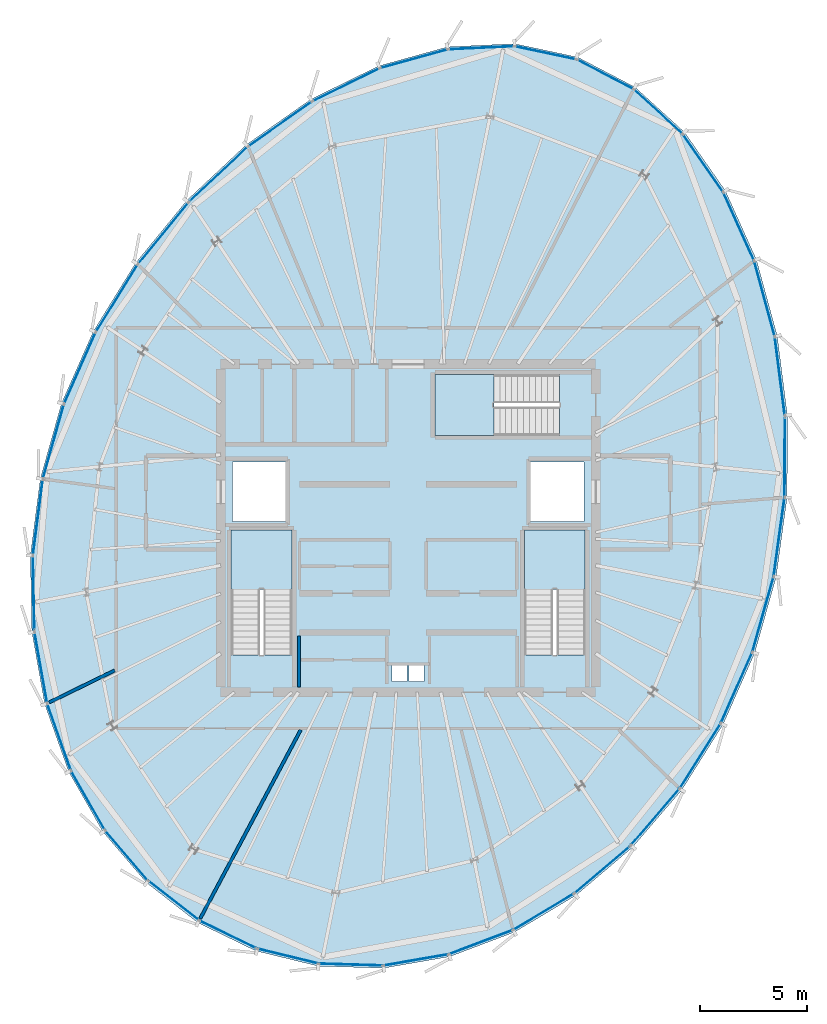
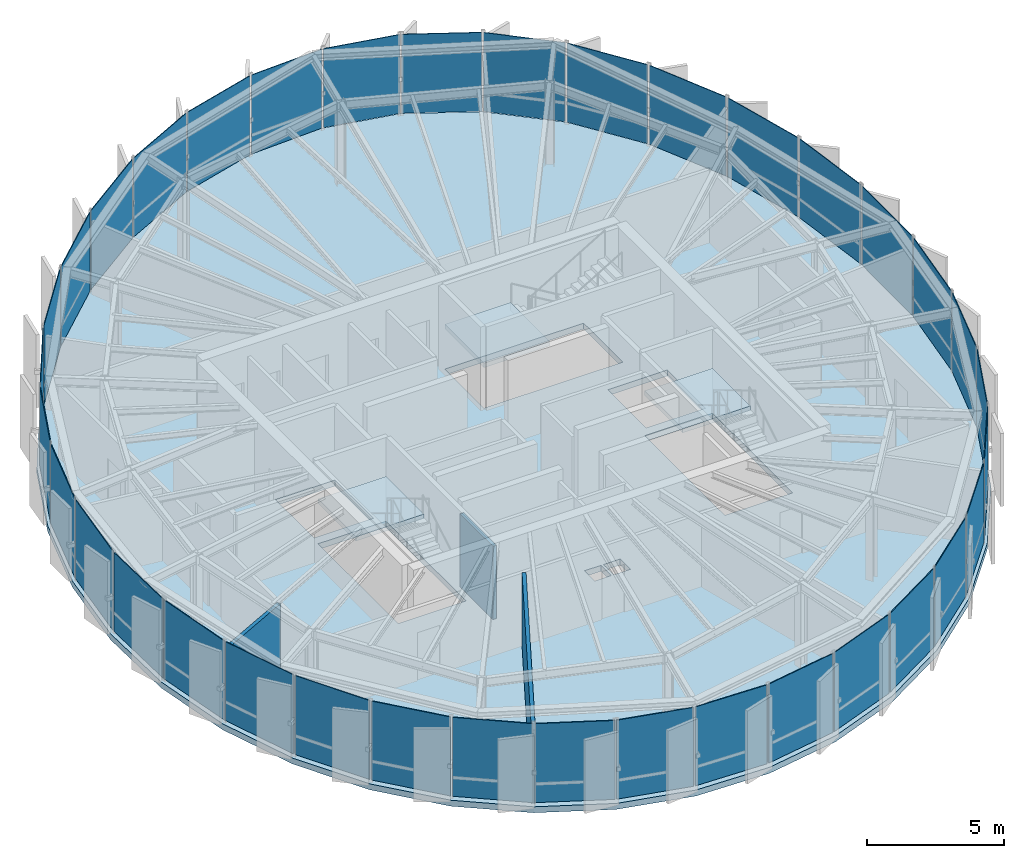
# One storey, part 20 of 26: 36 plates, 4 slabs, 3 walls, 9 elements without a shape of their own.
"""IFC4 building model written with IfcOpenShell, lengths in metres."""

import ifcopenshell
import ifcopenshell.guid

model = None  # the IFC model being written
_history = None  # IfcOwnerHistory: only IFC2X3 demands one
_inside = {}  # id of a spatial element -> (the spatial element, [elements in it])
_under = {}  # id of a project, library or spatial element -> (it, [spatial elements below it])
_declared = {}  # id of a project -> (the project, [libraries it declares])
_typed = {}  # id of a type object -> (the type object, [elements of that type])
_made_of = {}  # id of a material, layer set ... -> (it, [elements and type objects made of it])


def new_model(schema):
    """Start an empty IFC model of exactly this schema.

    Asked for "IFC4X3", IfcOpenShell would pick the latest addendum, in which some entities
    have other attributes; the version numbers below select the first issue.
    IFC2X3 requires an IfcOwnerHistory on every rooted entity: one is made here for all.
    """
    global model, _history
    if schema == "IFC4X3":
        model = ifcopenshell.file(schema_version=(4, 3, 0, 0))
    else:
        model = ifcopenshell.file(schema=schema)
    _inside.clear()
    _under.clear()
    _declared.clear()
    _typed.clear()
    _made_of.clear()
    _history = None
    if model.schema == "IFC2X3":
        org = make("IfcOrganization", Name="unknown")
        user = make(
            "IfcPersonAndOrganization",
            ThePerson=make("IfcPerson", FamilyName="unknown"),
            TheOrganization=org,
        )
        app = make(
            "IfcApplication",
            ApplicationDeveloper=org,
            Version="unknown",
            ApplicationFullName="unknown",
            ApplicationIdentifier="unknown",
        )
        _history = make(
            "IfcOwnerHistory",
            OwningUser=user,
            OwningApplication=app,
            ChangeAction="ADDED",
            CreationDate=0,
        )
    return model


def make(cls, **values):
    """One entity of the class cls with the attributes given. An attribute that is None is left unset."""
    return model.create_entity(
        cls, **{name: value for name, value in values.items() if value is not None}
    )


def rooted(cls, **values):
    """An entity with a GlobalId (a new one), such as an element, a storey or a relation."""
    return make(cls, GlobalId=ifcopenshell.guid.new(), OwnerHistory=_history, **values)


def si_unit(unit_type, name, prefix=None):
    """IfcSIUnit, for example si_unit("LENGTHUNIT", "METRE", prefix="MILLI")."""
    return make("IfcSIUnit", UnitType=unit_type, Prefix=prefix, Name=name)


def assignment(units):
    """IfcUnitAssignment: the units of a project."""
    return None if units is None else make("IfcUnitAssignment", Units=units)


def point(xyz):
    """IfcCartesianPoint."""
    return None if xyz is None else make("IfcCartesianPoint", Coordinates=xyz)


def direction(xyz):
    """IfcDirection."""
    return None if xyz is None else make("IfcDirection", DirectionRatios=xyz)


def frame(location, z_axis=None, x_axis=None):
    """IfcAxis2Placement3D, a coordinate frame: its origin and axes. An axis left out is left unset."""
    return make(
        "IfcAxis2Placement3D",
        Location=point(location),
        Axis=direction(z_axis),
        RefDirection=direction(x_axis),
    )


def frame_2d(location, x_axis=None):
    """IfcAxis2Placement2D, a coordinate frame in the plane: its origin and x axis."""
    return make(
        "IfcAxis2Placement2D", Location=point(location), RefDirection=direction(x_axis)
    )


def origin():
    """The frame at (0, 0, 0) with its axes left unset."""
    return frame((0.0, 0.0, 0.0))


def origin_2d():
    """The frame at (0, 0) in the plane with its x axis left unset."""
    return frame_2d((0.0, 0.0))


def place(relative_to, where):
    """IfcLocalPlacement: puts the frame where relative to a parent placement (None: the world)."""
    return make(
        "IfcLocalPlacement", PlacementRelTo=relative_to, RelativePlacement=where
    )


def context(
    kind, dimensions, precision=None, world=None, true_north=None, identifier=None
):
    """IfcGeometricRepresentationContext, for example the 3D "Model" context."""
    return make(
        "IfcGeometricRepresentationContext",
        ContextIdentifier=identifier,
        ContextType=kind,
        CoordinateSpaceDimension=dimensions,
        Precision=precision,
        WorldCoordinateSystem=world,
        TrueNorth=true_north,
    )


def subcontext(parent, identifier, kind, view, scale=None):
    """IfcGeometricRepresentationSubContext, for example "Body" below "Model"."""
    return make(
        "IfcGeometricRepresentationSubContext",
        ContextIdentifier=identifier,
        ContextType=kind,
        ParentContext=parent,
        TargetScale=scale,
        TargetView=view,
    )


def project(units=None, contexts=None):
    """IfcProject with its units and contexts."""
    return rooted(
        "IfcProject",
        Name="project",
        RepresentationContexts=contexts,
        UnitsInContext=assignment(units),
    )


def spatial(cls, under=None, at=None, **own):
    """A site, building, storey or space (cls), placed at a placement, below another one or the project."""
    s = rooted(cls, ObjectPlacement=at, **own)
    if under is not None:
        _under.setdefault(under.id(), (under, []))[1].append(s)
    return s


def polyline(points):
    """IfcPolyline through the points."""
    return make("IfcPolyline", Points=[point(p) for p in points])


def profile(cls, at=None, kind="AREA", **sizes):
    """A parametric profile (cls). Its sizes go by their IFC names, for example OverallWidth=200.0."""
    return make(cls, ProfileType=kind, Position=at, **sizes)


def rectangle(**sizes):
    """IfcRectangleProfileDef."""
    return profile("IfcRectangleProfileDef", **sizes)


def outline(outer, holes=None, kind="AREA"):
    """IfcArbitraryClosedProfileDef: a profile drawn as a closed curve; with holes, ...WithVoids."""
    if holes is None:
        return make("IfcArbitraryClosedProfileDef", ProfileType=kind, OuterCurve=outer)
    return make(
        "IfcArbitraryProfileDefWithVoids",
        ProfileType=kind,
        OuterCurve=outer,
        InnerCurves=holes,
    )


def extrude(swept, where, along, depth):
    """IfcExtrudedAreaSolid: the profile swept, set in the frame where, extruded along a direction by depth."""
    return make(
        "IfcExtrudedAreaSolid",
        SweptArea=swept,
        Position=where,
        ExtrudedDirection=direction(along),
        Depth=depth,
    )


def shape(context_of_items, identifier, shape_type, items):
    """IfcShapeRepresentation: the items that make up one representation, for example the "Body"."""
    return make(
        "IfcShapeRepresentation",
        ContextOfItems=context_of_items,
        RepresentationIdentifier=identifier,
        RepresentationType=shape_type,
        Items=items,
    )


def source(mapping_origin, context_of_items, identifier, shape_type, items):
    """IfcRepresentationMap: a shape defined once, which mapped items show again and again."""
    return make(
        "IfcRepresentationMap",
        MappingOrigin=mapping_origin,
        MappedRepresentation=shape(context_of_items, identifier, shape_type, items),
    )


def transform(
    local_origin,
    x_axis=None,
    y_axis=None,
    z_axis=None,
    scale=None,
    scale2=None,
    scale3=None,
    uniform=True,
):
    """IfcCartesianTransformationOperator3D, or its non-uniform kind. x_axis, y_axis, z_axis: its Axis1, 2, 3."""
    if uniform:
        return make(
            "IfcCartesianTransformationOperator3D",
            Axis1=direction(x_axis),
            Axis2=direction(y_axis),
            LocalOrigin=point(local_origin),
            Scale=scale,
            Axis3=direction(z_axis),
        )
    return make(
        "IfcCartesianTransformationOperator3DnonUniform",
        Axis1=direction(x_axis),
        Axis2=direction(y_axis),
        LocalOrigin=point(local_origin),
        Scale=scale,
        Axis3=direction(z_axis),
        Scale2=scale2,
        Scale3=scale3,
    )


def mapped(mapping_source, mapping_target):
    """IfcMappedItem: shows the shape of a source again, moved by a transform."""
    return make(
        "IfcMappedItem", MappingSource=mapping_source, MappingTarget=mapping_target
    )


def material(Name=None, Category=None):
    """IfcMaterial."""
    return make("IfcMaterial", Name=Name, Category=Category)


def layer(
    of_material, thickness, ventilated=None, Name=None, Category=None, Priority=None
):
    """IfcMaterialLayer: one layer of a wall or slab, of a material (None: an air gap)."""
    return make(
        "IfcMaterialLayer",
        Material=of_material,
        LayerThickness=thickness,
        IsVentilated=ventilated,
        Name=Name,
        Category=Category,
        Priority=Priority,
    )


def layer_set(layers, Name=None):
    """IfcMaterialLayerSet."""
    return make("IfcMaterialLayerSet", MaterialLayers=layers, LayerSetName=Name)


def made_of(thing, what):
    """Note that an element or type object is made of a material, layer set ...; save() writes the relation."""
    if what is not None:
        _made_of.setdefault(what.id(), (what, []))[1].append(thing)
    return thing


def type_object(cls, material=None, **own):
    """A type object (cls), such as IfcWallType, which elements share."""
    return made_of(rooted(cls, **own), material)


def element(
    cls,
    number,
    at=None,
    inside=None,
    cuts=None,
    type_object=None,
    material=None,
    context=None,
    identifier="Body",
    shape_type=None,
    held_by="IfcProductDefinitionShape",
    body=None,
    shapes=None,
    **own,
):
    """One element of the class cls, such as IfcWall. Its Tag is "e" and its number.

    at: its placement. inside: the storey or other place that contains it. cuts: it is an
    opening in that element (IfcRelVoidsElement). A single representation is given by context,
    identifier, shape_type and body (its items); several are given by shapes. held_by: the class
    of the entity that holds the representations. save() writes the other relations.
    """
    e = rooted(cls, Tag="e%d" % number, ObjectPlacement=at, **own)
    if body is not None:
        shapes = [shape(context, identifier, shape_type, body)]
    if shapes is not None:
        e.Representation = make(held_by, Representations=shapes)
    if inside is not None:
        _inside.setdefault(inside.id(), (inside, []))[1].append(e)
    if cuts is not None:
        rooted(
            "IfcRelVoidsElement", RelatingBuildingElement=cuts, RelatedOpeningElement=e
        )
    if type_object is not None:
        _typed.setdefault(type_object.id(), (type_object, []))[1].append(e)
    return made_of(e, material)


def aggregate(whole, parts):
    """IfcRelAggregates: a whole, such as a stair, and the parts it consists of."""
    return rooted("IfcRelAggregates", RelatingObject=whole, RelatedObjects=parts)


def save(model, path):
    """Write the relations noted so far, then the file.

    IfcRelAggregates (storeys below a building ...), IfcRelContainedInSpatialStructure (elements
    in a storey), IfcRelDefinesByType, IfcRelAssociatesMaterial and IfcRelDeclares: one each for
    every whole, place, type object, material and project.
    """
    for whole, parts in _under.values():
        aggregate(whole, parts)
    for where, things in _inside.values():
        rooted(
            "IfcRelContainedInSpatialStructure",
            RelatedElements=things,
            RelatingStructure=where,
        )
    for kind, things in _typed.values():
        rooted("IfcRelDefinesByType", RelatedObjects=things, RelatingType=kind)
    for what, things in _made_of.values():
        rooted("IfcRelAssociatesMaterial", RelatedObjects=things, RelatingMaterial=what)
    for by, libraries in _declared.values():
        rooted("IfcRelDeclares", RelatingContext=by, RelatedDefinitions=libraries)
    model.write(path)


model = new_model("IFC4")

# Units and contexts
model_context = context("Model", 3, precision=1e-05, world=origin(), true_north=direction((0.0, 1.0)))
body_context = subcontext(model_context, "Body", "Model", "MODEL_VIEW")
ifc_project = project(units=[si_unit("LENGTHUNIT", "METRE"), si_unit("AREAUNIT", "SQUARE_METRE"), si_unit("VOLUMEUNIT", "CUBIC_METRE"), si_unit("PLANEANGLEUNIT", "RADIAN"), si_unit("MASSUNIT", "GRAM", prefix="KILO"), si_unit("THERMODYNAMICTEMPERATUREUNIT", "KELVIN")], contexts=[model_context])

# Site, building, storey
site_placement = place(None, origin())
site = spatial("IfcSite", under=ifc_project, at=site_placement, CompositionType="ELEMENT")
building_placement = place(site_placement, origin())
building = spatial("IfcBuilding", under=site, at=building_placement, Name="Kethvar Cultural Tower", CompositionType="ELEMENT")
storey_placement = place(building_placement, frame((0.0, 0.0, 316.300048828125)))
storey = spatial("IfcBuildingStorey", under=building, at=storey_placement, Name="L84", CompositionType="ELEMENT", Elevation=316.300048828125)

# Slab
ifc_material_1 = material(Name="Concrete C45/55", Category="concrete")
ifc_layer_1 = layer(ifc_material_1, 0.264892578125, Name="Concrete C45/55", Category="concrete")
ifc_layer_set_1 = layer_set([ifc_layer_1], Name="Concrete C45/55 (265 mm)")
slab_type_1 = type_object("IfcSlabType", Name="SL-CRN-265", PredefinedType="FLOOR", material=ifc_layer_set_1)
slab_1_placement = place(storey_placement, frame((0.0, 0.0, -0.26513671875)))
element("IfcSlab", 1, at=slab_1_placement, inside=storey, type_object=slab_type_1, Name="L84 Structural Floor Slab", PredefinedType="FLOOR", context=body_context, shape_type="SweptSolid", body=[
    extrude(outline(polyline([(54.75830078125, 49.90478515625), (51.7939453125, 50.535400390625), (48.6455078125, 50.385986328125), (45.42041015625, 49.492431640625), (42.233154296875, 47.92822265625), (39.19873046875, 45.792236328125), (36.42626953125, 43.1953125), (34.010986328125, 40.24658203125), (32.0283203125, 37.043212890625), (30.5302734375, 33.657470703125), (29.53662109375, 30.1220703125), (29.067626953125, 26.516357421875), (29.137451171875, 22.949462890625), (29.743896484375, 19.52978515625), (30.868408203125, 16.36181640625), (32.477294921875, 13.541015625), (34.52099609375, 11.15380859375), (36.93798828125, 9.272216796875), (39.65478515625, 7.953369140625), (42.588623046875, 7.23779296875), (45.650390625, 7.14697265625), (48.746826171875, 7.68359375), (51.784423828125, 8.83154296875), (54.67041015625, 10.555908203125), (57.3173828125, 12.803955078125), (59.644775390625, 15.5078125), (61.581787109375, 18.585205078125), (63.069580078125, 21.9423828125), (64.073486328125, 25.506103515625), (64.587890625, 29.23828125), (64.606201171875, 33.0498046875), (64.12548828125, 36.818115234375), (63.149169921875, 40.39794921875), (61.690185546875, 43.635009765625), (59.77490234375, 46.379150390625), (57.4443359375, 48.501220703125), (54.75830078125, 49.90478515625)]), holes=[polyline([(38.489990234375, 21.85009765625), (38.489990234375, 27.699951171875), (41.35009765625, 27.699951171875), (41.35009765625, 21.85009765625), (38.489990234375, 21.85009765625)]), polyline([(52.25, 21.85009765625), (52.25, 27.699951171875), (55.110107421875, 27.699951171875), (55.110107421875, 21.85009765625), (52.25, 21.85009765625)]), polyline([(53.89990234375, 32.14990234375), (48.050048828125, 32.14990234375), (48.050048828125, 35.010009765625), (53.89990234375, 35.010009765625), (53.89990234375, 32.14990234375)]), polyline([(38.550048828125, 30.89990234375), (41.050048828125, 30.89990234375), (41.050048828125, 28.10009765625), (38.550048828125, 28.10009765625), (38.550048828125, 30.89990234375)]), polyline([(52.550048828125, 30.89990234375), (55.050048828125, 30.89990234375), (55.050048828125, 28.10009765625), (52.550048828125, 28.10009765625), (52.550048828125, 30.89990234375)]), polyline([(46.050048828125, 21.35009765625), (46.75, 21.35009765625), (46.75, 20.60009765625), (46.050048828125, 20.60009765625), (46.050048828125, 21.35009765625)]), polyline([(46.85009765625, 21.35009765625), (47.550048828125, 21.35009765625), (47.550048828125, 20.60009765625), (46.85009765625, 20.60009765625), (46.85009765625, 21.35009765625)])]), origin(), (0.0, 0.0, 1.0), 0.26513671875),
])

# Stair, slab
ifc_material_2 = material(Name="Concrete C40/50", Category="concrete")
stair_type = type_object("IfcStairType", Name="ST-DOGLEG-135", PredefinedType="HALF_TURN_STAIR", material=ifc_material_2)
stair_1_placement = place(storey_placement, origin())
stair_1 = element("IfcStair", 2, at=stair_1_placement, inside=storey, type_object=stair_type, Name="L84 Core Exit Stair 1", PredefinedType="HALF_TURN_STAIR")
ifc_layer_2 = layer(ifc_material_2, 0.199951171875, Name="Concrete C40/50", Category="concrete")
ifc_layer_set_2 = layer_set([ifc_layer_2], Name="Concrete C40/50 (200 mm)")
slab_type_2 = type_object("IfcSlabType", Name="SL-STAIR-LANDING-200", PredefinedType="LANDING", material=ifc_layer_set_2)
slab_2_placement = place(storey_placement, frame((0.0, 0.0, 1.800048828125)))
slab_2 = element("IfcSlab", 3, at=slab_2_placement, type_object=slab_type_2, Name="ST-01 landing 1", PredefinedType="LANDING", context=body_context, shape_type="SweptSolid", body=[
    extrude(outline(polyline([(41.35009765625, 24.929931640625), (41.35009765625, 27.699951171875), (38.489990234375, 27.699951171875), (38.489990234375, 24.929931640625), (41.35009765625, 24.929931640625)])), origin(), (0.0, 0.0, 1.0), 0.199951171875),
])
aggregate(stair_1, [slab_2])

stair_2_placement = place(storey_placement, origin())
stair_2 = element("IfcStair", 4, at=stair_2_placement, inside=storey, type_object=stair_type, Name="L84 Core Exit Stair 2", PredefinedType="HALF_TURN_STAIR")
slab_3_placement = place(storey_placement, frame((0.0, 0.0, 1.800048828125)))
slab_3 = element("IfcSlab", 5, at=slab_3_placement, type_object=slab_type_2, Name="ST-02 landing 1", PredefinedType="LANDING", context=body_context, shape_type="SweptSolid", body=[
    extrude(outline(polyline([(55.110107421875, 24.929931640625), (55.110107421875, 27.699951171875), (52.25, 27.699951171875), (52.25, 24.929931640625), (55.110107421875, 24.929931640625)])), origin(), (0.0, 0.0, 1.0), 0.199951171875),
])
aggregate(stair_2, [slab_3])

stair_3_placement = place(storey_placement, origin())
stair_3 = element("IfcStair", 6, at=stair_3_placement, inside=storey, type_object=stair_type, Name="L84 Core Exit Stair 3", PredefinedType="HALF_TURN_STAIR")
slab_4_placement = place(storey_placement, frame((0.0, 0.0, 1.800048828125)))
slab_4 = element("IfcSlab", 7, at=slab_4_placement, type_object=slab_type_2, Name="ST-03 landing 1", PredefinedType="LANDING", context=body_context, shape_type="SweptSolid", body=[
    extrude(outline(polyline([(50.820068359375, 35.010009765625), (48.050048828125, 35.010009765625), (48.050048828125, 32.14990234375), (50.820068359375, 32.14990234375), (50.820068359375, 35.010009765625)])), origin(), (0.0, 0.0, 1.0), 0.199951171875),
])
aggregate(stair_3, [slab_4])

# Curtain wall, plate
ifc_material_3 = material(Name="Aluminium 6063-T6", Category="aluminium")
ifc_layer_3 = layer(ifc_material_3, 0.179931640625, Name="Aluminium 6063-T6", Category="aluminium")
ifc_layer_set_3 = layer_set([ifc_layer_3], Name="Aluminium 6063-T6 (180 mm)")
curtain_wall_type = type_object("IfcCurtainWallType", Name="CW-SYS-06-CROWN", PredefinedType="NOTDEFINED", material=ifc_layer_set_3)
curtain_wall_1_placement = place(storey_placement, origin())
curtain_wall_1 = element("IfcCurtainWall", 8, at=curtain_wall_1_placement, inside=storey, type_object=curtain_wall_type, Name="L84 Curtain Wall Run 01", PredefinedType="NOTDEFINED")
ifc_material_4 = material(Name="Insulated Low-E Solar Glass", Category="glass")
ifc_layer_4 = layer(ifc_material_4, 0.033935546875, Name="Insulated Low-E Solar Glass", Category="glass")
ifc_layer_set_4 = layer_set([ifc_layer_4], Name="Insulated Low-E Solar Glass (34 mm)")
plate_type = type_object("IfcPlateType", Name="CW-SYS-06-CROWN-PNL", PredefinedType="CURTAIN_PANEL", material=ifc_layer_set_4)
shared_shape_1 = source(origin(), body_context, "Body", "SweptSolid", [
    extrude(rectangle(XDim=3.2529296875, YDim=0.033935546875, at=origin_2d()), origin(), (0.0, 0.0, 1.0), 3.514892578125),
])
plate_1_placement = place(storey_placement, frame((47.06494140625, 49.823486328125, 0.10986328125), z_axis=(0.0, 0.0, 1.0), x_axis=(-0.963700383028, -0.26698608906, 0.0)))
plate_1 = element("IfcPlate", 9, at=plate_1_placement, type_object=plate_type, Name="CW-L84-R01 Vision Glazing Panel 3", PredefinedType="CURTAIN_PANEL", context=body_context, shape_type="MappedRepresentation", body=[
    mapped(shared_shape_1, transform((0.0, 0.0, 0.0), scale=1.0)),
])

curtain_wall_2_placement = place(storey_placement, origin())
curtain_wall_2 = element("IfcCurtainWall", 10, at=curtain_wall_2_placement, inside=storey, type_object=curtain_wall_type, Name="L84 Curtain Wall Run 06", PredefinedType="NOTDEFINED")
plate_2_placement = place(storey_placement, frame((60.634033203125, 44.9384765625, 0.10986328125), z_axis=(0.0, 0.0, 1.0), x_axis=(-0.572346257272, 0.820012049781, 0.0)))
plate_2 = element("IfcPlate", 11, at=plate_2_placement, type_object=plate_type, Name="CW-L84-R06 Vision Glazing Panel 4", PredefinedType="CURTAIN_PANEL", context=body_context, shape_type="MappedRepresentation", body=[
    mapped(shared_shape_1, transform((0.0, 0.0, 0.0), scale=1.0)),
])

curtain_wall_3_placement = place(storey_placement, origin())
curtain_wall_3 = element("IfcCurtainWall", 12, at=curtain_wall_3_placement, inside=storey, type_object=curtain_wall_type, Name="L84 Curtain Wall Run 03", PredefinedType="NOTDEFINED")
shared_shape_2 = source(origin(), body_context, "Body", "SweptSolid", [
    extrude(rectangle(XDim=2.969482421875, YDim=0.033935546875, at=origin_2d()), origin(), (0.0, 0.0, 1.0), 3.514892578125),
])
plate_3_placement = place(storey_placement, frame((35.80322265625, 10.3076171875, 0.10986328125), z_axis=(0.0, 0.0, 1.0), x_axis=(0.789084084835, -0.614285200099, 0.0)))
plate_3 = element("IfcPlate", 13, at=plate_3_placement, type_object=plate_type, Name="CW-L84-R03 Vision Glazing Panel 5", PredefinedType="CURTAIN_PANEL", context=body_context, shape_type="MappedRepresentation", body=[
    mapped(shared_shape_2, transform((0.0, 0.0, 0.0), scale=1.0)),
])

curtain_wall_4_placement = place(storey_placement, origin())
curtain_wall_4 = element("IfcCurtainWall", 14, at=curtain_wall_4_placement, inside=storey, type_object=curtain_wall_type, Name="L84 Curtain Wall Run 04", PredefinedType="NOTDEFINED")
plate_4_placement = place(storey_placement, frame((44.123046875, 7.3125, 0.10986328125), z_axis=(0.0, 0.0, 1.0), x_axis=(0.999560377741, -0.02964879847, 0.0)))
plate_4 = element("IfcPlate", 15, at=plate_4_placement, type_object=plate_type, Name="CW-L84-R04 Vision Glazing Panel 2", PredefinedType="CURTAIN_PANEL", context=body_context, shape_type="MappedRepresentation", body=[
    mapped(shared_shape_2, transform((0.0, 0.0, 0.0), scale=1.0)),
])

# Plate
shared_shape_3 = source(origin(), body_context, "Body", "SweptSolid", [
    extrude(rectangle(XDim=2.93701171875, YDim=0.033935546875, at=origin_2d()), origin(), (0.0, 0.0, 1.0), 3.514892578125),
])
plate_5_placement = place(storey_placement, frame((53.2509765625, 50.102783203125, 0.10986328125), z_axis=(0.0, 0.0, 1.0), x_axis=(-0.97810040189, 0.208133620115, 0.0)))
plate_5 = element("IfcPlate", 16, at=plate_5_placement, type_object=plate_type, Name="CW-L84-R01 Vision Glazing Panel 1", PredefinedType="CURTAIN_PANEL", context=body_context, shape_type="MappedRepresentation", body=[
    mapped(shared_shape_3, transform((0.0, 0.0, 0.0), scale=1.0)),
])

plate_6_placement = place(storey_placement, frame((56.045654296875, 49.0966796875, 0.10986328125), z_axis=(0.0, 0.0, 1.0), x_axis=(-0.886308674955, 0.463094949982, 0.0)))
plate_6 = element("IfcPlate", 17, at=plate_6_placement, type_object=plate_type, Name="CW-L84-R06 Vision Glazing Panel 6", PredefinedType="CURTAIN_PANEL", context=body_context, shape_type="MappedRepresentation", body=[
    mapped(shared_shape_3, transform((0.0, 0.0, 0.0), scale=1.0)),
])

shared_shape_4 = source(origin(), body_context, "Body", "SweptSolid", [
    extrude(rectangle(XDim=3.05810546875, YDim=0.033935546875, at=origin_2d()), origin(), (0.0, 0.0, 1.0), 3.514892578125),
])
plate_7_placement = place(storey_placement, frame((50.225341796875, 50.3408203125, 0.10986328125), z_axis=(0.0, 0.0, 1.0), x_axis=(-0.998872542453, -0.047472559798, 0.0)))
plate_7 = element("IfcPlate", 18, at=plate_7_placement, type_object=plate_type, Name="CW-L84-R01 Vision Glazing Panel 2", PredefinedType="CURTAIN_PANEL", context=body_context, shape_type="MappedRepresentation", body=[
    mapped(shared_shape_4, transform((0.0, 0.0, 0.0), scale=1.0)),
])

shared_shape_5 = source(origin(), body_context, "Body", "SweptSolid", [
    extrude(rectangle(XDim=3.45703125, YDim=0.033935546875, at=origin_2d()), origin(), (0.0, 0.0, 1.0), 3.514892578125),
])
plate_8_placement = place(storey_placement, frame((43.879638671875, 48.6025390625, 0.10986328125), z_axis=(0.0, 0.0, 1.0), x_axis=(-0.897727910651, -0.440550335873, 0.0)))
plate_8 = element("IfcPlate", 19, at=plate_8_placement, type_object=plate_type, Name="CW-L84-R01 Vision Glazing Panel 4", PredefinedType="CURTAIN_PANEL", context=body_context, shape_type="MappedRepresentation", body=[
    mapped(shared_shape_5, transform((0.0, 0.0, 0.0), scale=1.0)),
])

shared_shape_6 = source(origin(), body_context, "Body", "SweptSolid", [
    extrude(rectangle(XDim=3.6171875, YDim=0.033935546875, at=origin_2d()), origin(), (0.0, 0.0, 1.0), 3.514892578125),
])
plate_9_placement = place(storey_placement, frame((40.784912109375, 46.76220703125, 0.10986328125), z_axis=(0.0, 0.0, 1.0), x_axis=(-0.817707903887, -0.575633376309, 0.0)))
plate_9 = element("IfcPlate", 20, at=plate_9_placement, type_object=plate_type, Name="CW-L84-R01 Vision Glazing Panel 5", PredefinedType="CURTAIN_PANEL", context=body_context, shape_type="MappedRepresentation", body=[
    mapped(shared_shape_6, transform((0.0, 0.0, 0.0), scale=1.0)),
])

plate_10_placement = place(storey_placement, frame((63.521484375, 38.576416015625, 0.10986328125), z_axis=(0.0, 0.0, 1.0), x_axis=(-0.263132245308, 0.964759773974, 0.0)))
plate_10 = element("IfcPlate", 21, at=plate_10_placement, type_object=plate_type, Name="CW-L84-R06 Vision Glazing Panel 2", PredefinedType="CURTAIN_PANEL", context=body_context, shape_type="MappedRepresentation", body=[
    mapped(shared_shape_6, transform((0.0, 0.0, 0.0), scale=1.0)),
])

shared_shape_7 = source(origin(), body_context, "Body", "SweptSolid", [
    extrude(rectangle(XDim=3.705078125, YDim=0.033935546875, at=origin_2d()), origin(), (0.0, 0.0, 1.0), 3.514892578125),
])
plate_11_placement = place(storey_placement, frame((37.89453125, 44.406005859375, 0.10986328125), z_axis=(0.0, 0.0, 1.0), x_axis=(-0.729828278888, -0.683630516679, 0.0)))
plate_11 = element("IfcPlate", 22, at=plate_11_placement, type_object=plate_type, Name="CW-L84-R01 Vision Glazing Panel 6", PredefinedType="CURTAIN_PANEL", context=body_context, shape_type="MappedRepresentation", body=[
    mapped(shared_shape_7, transform((0.0, 0.0, 0.0), scale=1.0)),
])

aggregate(curtain_wall_1, [plate_5, plate_7, plate_1, plate_8, plate_9, plate_11])

# Curtain wall, plate
curtain_wall_5_placement = place(storey_placement, origin())
curtain_wall_5 = element("IfcCurtainWall", 23, at=curtain_wall_5_placement, inside=storey, type_object=curtain_wall_type, Name="L84 Curtain Wall Run 02", PredefinedType="NOTDEFINED")
shared_shape_8 = source(origin(), body_context, "Body", "SweptSolid", [
    extrude(rectangle(XDim=3.718017578125, YDim=0.033935546875, at=origin_2d()), origin(), (0.0, 0.0, 1.0), 3.514892578125),
])
plate_12_placement = place(storey_placement, frame((35.3115234375, 41.64501953125, 0.10986328125), z_axis=(0.0, 0.0, 1.0), x_axis=(-0.633691460956, -0.773585892006, 0.0)))
plate_12 = element("IfcPlate", 24, at=plate_12_placement, type_object=plate_type, Name="CW-L84-R02 Vision Glazing Panel 1", PredefinedType="CURTAIN_PANEL", context=body_context, shape_type="MappedRepresentation", body=[
    mapped(shared_shape_8, transform((0.0, 0.0, 0.0), scale=1.0)),
])

curtain_wall_6_placement = place(storey_placement, origin())
curtain_wall_6 = element("IfcCurtainWall", 25, at=curtain_wall_6_placement, inside=storey, type_object=curtain_wall_type, Name="L84 Curtain Wall Run 05", PredefinedType="NOTDEFINED")
plate_13_placement = place(storey_placement, frame((64.47705078125, 31.14453125, 0.10986328125), z_axis=(0.0, 0.0, 1.0), x_axis=(0.004834543195, 0.999988313528, 0.0)))
plate_13 = element("IfcPlate", 26, at=plate_13_placement, type_object=plate_type, Name="CW-L84-R05 Vision Glazing Panel 6", PredefinedType="CURTAIN_PANEL", context=body_context, shape_type="MappedRepresentation", body=[
    mapped(shared_shape_8, transform((0.0, 0.0, 0.0), scale=1.0)),
])

# Plate
shared_shape_9 = source(origin(), body_context, "Body", "SweptSolid", [
    extrude(rectangle(XDim=3.673583984375, YDim=0.033935546875, at=origin_2d()), origin(), (0.0, 0.0, 1.0), 3.514892578125),
])
plate_14_placement = place(storey_placement, frame((33.12158203125, 38.581787109375, 0.10986328125), z_axis=(0.0, 0.0, 1.0), x_axis=(-0.526243606224, -0.850333856146, 0.0)))
plate_14 = element("IfcPlate", 27, at=plate_14_placement, type_object=plate_type, Name="CW-L84-R02 Vision Glazing Panel 2", PredefinedType="CURTAIN_PANEL", context=body_context, shape_type="MappedRepresentation", body=[
    mapped(shared_shape_9, transform((0.0, 0.0, 0.0), scale=1.0)),
])

plate_15_placement = place(storey_placement, frame((64.2119140625, 27.388671875, 0.10986328125), z_axis=(0.0, 0.0, 1.0), x_axis=(0.136545531682, 0.990633796, 0.0)))
plate_15 = element("IfcPlate", 28, at=plate_15_placement, type_object=plate_type, Name="CW-L84-R05 Vision Glazing Panel 5", PredefinedType="CURTAIN_PANEL", context=body_context, shape_type="MappedRepresentation", body=[
    mapped(shared_shape_9, transform((0.0, 0.0, 0.0), scale=1.0)),
])

shared_shape_10 = source(origin(), body_context, "Body", "SweptSolid", [
    extrude(rectangle(XDim=3.608642578125, YDim=0.033935546875, at=origin_2d()), origin(), (0.0, 0.0, 1.0), 3.514892578125),
])
plate_16_placement = place(storey_placement, frame((31.38916015625, 35.3017578125, 0.10986328125), z_axis=(0.0, 0.0, 1.0), x_axis=(-0.404630907884, -0.91448008638, 0.0)))
plate_16 = element("IfcPlate", 29, at=plate_16_placement, type_object=plate_type, Name="CW-L84-R02 Vision Glazing Panel 3", PredefinedType="CURTAIN_PANEL", context=body_context, shape_type="MappedRepresentation", body=[
    mapped(shared_shape_10, transform((0.0, 0.0, 0.0), scale=1.0)),
])

shared_shape_11 = source(origin(), body_context, "Body", "SweptSolid", [
    extrude(rectangle(XDim=3.578857421875, YDim=0.033935546875, at=origin_2d()), origin(), (0.0, 0.0, 1.0), 3.514892578125),
])
plate_17_placement = place(storey_placement, frame((30.14892578125, 31.857421875, 0.10986328125), z_axis=(0.0, 0.0, 1.0), x_axis=(-0.27056684153, -0.962701191577, 0.0)))
plate_17 = element("IfcPlate", 30, at=plate_17_placement, type_object=plate_type, Name="CW-L84-R02 Vision Glazing Panel 4", PredefinedType="CURTAIN_PANEL", context=body_context, shape_type="MappedRepresentation", body=[
    mapped(shared_shape_11, transform((0.0, 0.0, 0.0), scale=1.0)),
])

shared_shape_12 = source(origin(), body_context, "Body", "SweptSolid", [
    extrude(rectangle(XDim=3.54248046875, YDim=0.033935546875, at=origin_2d()), origin(), (0.0, 0.0, 1.0), 3.514892578125),
])
plate_18_placement = place(storey_placement, frame((29.421142578125, 28.3037109375, 0.10986328125), z_axis=(0.0, 0.0, 1.0), x_axis=(-0.128985981398, -0.991646417128, 0.0)))
plate_18 = element("IfcPlate", 31, at=plate_18_placement, type_object=plate_type, Name="CW-L84-R02 Vision Glazing Panel 5", PredefinedType="CURTAIN_PANEL", context=body_context, shape_type="MappedRepresentation", body=[
    mapped(shared_shape_12, transform((0.0, 0.0, 0.0), scale=1.0)),
])

plate_19_placement = place(storey_placement, frame((60.51171875, 17.110595703125, 0.10986328125), z_axis=(0.0, 0.0, 1.0), x_axis=(0.532728579387, 0.846286157694, 0.0)))
plate_19 = element("IfcPlate", 32, at=plate_19_placement, type_object=plate_type, Name="CW-L84-R05 Vision Glazing Panel 2", PredefinedType="CURTAIN_PANEL", context=body_context, shape_type="MappedRepresentation", body=[
    mapped(shared_shape_12, transform((0.0, 0.0, 0.0), scale=1.0)),
])

shared_shape_13 = source(origin(), body_context, "Body", "SweptSolid", [
    extrude(rectangle(XDim=3.47412109375, YDim=0.033935546875, at=origin_2d()), origin(), (0.0, 0.0, 1.0), 3.514892578125),
])
plate_20_placement = place(storey_placement, frame((29.222412109375, 24.735107421875, 0.10986328125), z_axis=(0.0, 0.0, 1.0), x_axis=(0.019528992784, -0.999809291035, 0.0)))
plate_20 = element("IfcPlate", 33, at=plate_20_placement, type_object=plate_type, Name="CW-L84-R02 Vision Glazing Panel 6", PredefinedType="CURTAIN_PANEL", context=body_context, shape_type="MappedRepresentation", body=[
    mapped(shared_shape_13, transform((0.0, 0.0, 0.0), scale=1.0)),
])

aggregate(curtain_wall_5, [plate_12, plate_14, plate_16, plate_17, plate_18, plate_20])

shared_shape_14 = source(origin(), body_context, "Body", "SweptSolid", [
    extrude(rectangle(XDim=3.37939453125, YDim=0.033935546875, at=origin_2d()), origin(), (0.0, 0.0, 1.0), 3.514892578125),
])
plate_21_placement = place(storey_placement, frame((29.55859375, 21.260498046875, 0.10986328125), z_axis=(0.0, 0.0, 1.0), x_axis=(0.174610630289, -0.984637561639, 0.0)))
plate_21 = element("IfcPlate", 34, at=plate_21_placement, type_object=plate_type, Name="CW-L84-R03 Vision Glazing Panel 1", PredefinedType="CURTAIN_PANEL", context=body_context, shape_type="MappedRepresentation", body=[
    mapped(shared_shape_14, transform((0.0, 0.0, 0.0), scale=1.0)),
])

shared_shape_15 = source(origin(), body_context, "Body", "SweptSolid", [
    extrude(rectangle(XDim=3.268310546875, YDim=0.033935546875, at=origin_2d()), origin(), (0.0, 0.0, 1.0), 3.514892578125),
])
plate_22_placement = place(storey_placement, frame((30.419189453125, 17.986083984375, 0.10986328125), z_axis=(0.0, 0.0, 1.0), x_axis=(0.334547105099, -0.942379029091, 0.0)))
plate_22 = element("IfcPlate", 35, at=plate_22_placement, type_object=plate_type, Name="CW-L84-R03 Vision Glazing Panel 2", PredefinedType="CURTAIN_PANEL", context=body_context, shape_type="MappedRepresentation", body=[
    mapped(shared_shape_15, transform((0.0, 0.0, 0.0), scale=1.0)),
])

plate_23_placement = place(storey_placement, frame((53.166015625, 9.796630859375, 0.10986328125), z_axis=(0.0, 0.0, 1.0), x_axis=(0.85846797539, 0.512867171137, 0.0)))
plate_23 = element("IfcPlate", 36, at=plate_23_placement, type_object=plate_type, Name="CW-L84-R04 Vision Glazing Panel 5", PredefinedType="CURTAIN_PANEL", context=body_context, shape_type="MappedRepresentation", body=[
    mapped(shared_shape_15, transform((0.0, 0.0, 0.0), scale=1.0)),
])

shared_shape_16 = source(origin(), body_context, "Body", "SweptSolid", [
    extrude(rectangle(XDim=3.153564453125, YDim=0.033935546875, at=origin_2d()), origin(), (0.0, 0.0, 1.0), 3.514892578125),
])
plate_24_placement = place(storey_placement, frame((31.777099609375, 15.010986328125, 0.10986328125), z_axis=(0.0, 0.0, 1.0), x_axis=(0.495413186314, -0.868657455403, 0.0)))
plate_24 = element("IfcPlate", 37, at=plate_24_placement, type_object=plate_type, Name="CW-L84-R03 Vision Glazing Panel 3", PredefinedType="CURTAIN_PANEL", context=body_context, shape_type="MappedRepresentation", body=[
    mapped(shared_shape_16, transform((0.0, 0.0, 0.0), scale=1.0)),
])

plate_25_placement = place(storey_placement, frame((50.223388671875, 8.369873046875, 0.10986328125), z_axis=(0.0, 0.0, 1.0), x_axis=(0.935419351351, 0.353540149231, 0.0)))
plate_25 = element("IfcPlate", 38, at=plate_25_placement, type_object=plate_type, Name="CW-L84-R04 Vision Glazing Panel 4", PredefinedType="CURTAIN_PANEL", context=body_context, shape_type="MappedRepresentation", body=[
    mapped(shared_shape_16, transform((0.0, 0.0, 0.0), scale=1.0)),
])

shared_shape_17 = source(origin(), body_context, "Body", "SweptSolid", [
    extrude(rectangle(XDim=3.04931640625, YDim=0.033935546875, at=origin_2d()), origin(), (0.0, 0.0, 1.0), 3.514892578125),
])
plate_26_placement = place(storey_placement, frame((33.59033203125, 12.425537109375, 0.10986328125), z_axis=(0.0, 0.0, 1.0), x_axis=(0.65033680047, -0.75964600042, 0.0)))
plate_26 = element("IfcPlate", 39, at=plate_26_placement, type_object=plate_type, Name="CW-L84-R03 Vision Glazing Panel 4", PredefinedType="CURTAIN_PANEL", context=body_context, shape_type="MappedRepresentation", body=[
    mapped(shared_shape_17, transform((0.0, 0.0, 0.0), scale=1.0)),
])

plate_27_placement = place(storey_placement, frame((47.177978515625, 7.533447265625, 0.10986328125), z_axis=(0.0, 0.0, 1.0), x_axis=(0.985315662054, 0.170742631208, 0.0)))
plate_27 = element("IfcPlate", 40, at=plate_27_placement, type_object=plate_type, Name="CW-L84-R04 Vision Glazing Panel 3", PredefinedType="CURTAIN_PANEL", context=body_context, shape_type="MappedRepresentation", body=[
    mapped(shared_shape_17, transform((0.0, 0.0, 0.0), scale=1.0)),
])

shared_shape_18 = source(origin(), body_context, "Body", "SweptSolid", [
    extrude(rectangle(XDim=2.92626953125, YDim=0.033935546875, at=origin_2d()), origin(), (0.0, 0.0, 1.0), 3.514892578125),
])
plate_28_placement = place(storey_placement, frame((38.348876953125, 8.720703125, 0.10986328125), z_axis=(0.0, 0.0, 1.0), x_axis=(0.899618759221, -0.43667618215, 0.0)))
plate_28 = element("IfcPlate", 41, at=plate_28_placement, type_object=plate_type, Name="CW-L84-R03 Vision Glazing Panel 6", PredefinedType="CURTAIN_PANEL", context=body_context, shape_type="MappedRepresentation", body=[
    mapped(shared_shape_18, transform((0.0, 0.0, 0.0), scale=1.0)),
])

aggregate(curtain_wall_3, [plate_21, plate_22, plate_24, plate_26, plate_3, plate_28])

plate_29_placement = place(storey_placement, frame((41.150146484375, 7.712158203125, 0.10986328125), z_axis=(0.0, 0.0, 1.0), x_axis=(0.971516041684, -0.236973797604, 0.0)))
plate_29 = element("IfcPlate", 42, at=plate_29_placement, type_object=plate_type, Name="CW-L84-R04 Vision Glazing Panel 1", PredefinedType="CURTAIN_PANEL", context=body_context, shape_type="MappedRepresentation", body=[
    mapped(shared_shape_18, transform((0.0, 0.0, 0.0), scale=1.0)),
])

shared_shape_19 = source(origin(), body_context, "Body", "SweptSolid", [
    extrude(rectangle(XDim=3.379150390625, YDim=0.033935546875, at=origin_2d()), origin(), (0.0, 0.0, 1.0), 3.514892578125),
])
plate_30_placement = place(storey_placement, frame((55.916259765625, 11.771484375, 0.10986328125), z_axis=(0.0, 0.0, 1.0), x_axis=(0.762171405963, 0.647375275966, 0.0)))
plate_30 = element("IfcPlate", 43, at=plate_30_placement, type_object=plate_type, Name="CW-L84-R04 Vision Glazing Panel 6", PredefinedType="CURTAIN_PANEL", context=body_context, shape_type="MappedRepresentation", body=[
    mapped(shared_shape_19, transform((0.0, 0.0, 0.0), scale=1.0)),
])

aggregate(curtain_wall_4, [plate_29, plate_4, plate_27, plate_25, plate_23, plate_30])

shared_shape_20 = source(origin(), body_context, "Body", "SweptSolid", [
    extrude(rectangle(XDim=3.473876953125, YDim=0.033935546875, at=origin_2d()), origin(), (0.0, 0.0, 1.0), 3.514892578125),
])
plate_31_placement = place(storey_placement, frame((58.39013671875, 14.234130859375, 0.10986328125), z_axis=(0.0, 0.0, 1.0), x_axis=(0.652349774838, 0.757918050497, 0.0)))
plate_31 = element("IfcPlate", 44, at=plate_31_placement, type_object=plate_type, Name="CW-L84-R05 Vision Glazing Panel 1", PredefinedType="CURTAIN_PANEL", context=body_context, shape_type="MappedRepresentation", body=[
    mapped(shared_shape_20, transform((0.0, 0.0, 0.0), scale=1.0)),
])

shared_shape_21 = source(origin(), body_context, "Body", "SweptSolid", [
    extrude(rectangle(XDim=3.57861328125, YDim=0.033935546875, at=origin_2d()), origin(), (0.0, 0.0, 1.0), 3.514892578125),
])
plate_32_placement = place(storey_placement, frame((62.216064453125, 20.3125, 0.10986328125), z_axis=(0.0, 0.0, 1.0), x_axis=(0.405173500016, 0.914239812568, 0.0)))
plate_32 = element("IfcPlate", 45, at=plate_32_placement, type_object=plate_type, Name="CW-L84-R05 Vision Glazing Panel 3", PredefinedType="CURTAIN_PANEL", context=body_context, shape_type="MappedRepresentation", body=[
    mapped(shared_shape_21, transform((0.0, 0.0, 0.0), scale=1.0)),
])

shared_shape_22 = source(origin(), body_context, "Body", "SweptSolid", [
    extrude(rectangle(XDim=3.60888671875, YDim=0.033935546875, at=origin_2d()), origin(), (0.0, 0.0, 1.0), 3.514892578125),
])
plate_33_placement = place(storey_placement, frame((63.4560546875, 23.7568359375, 0.10986328125), z_axis=(0.0, 0.0, 1.0), x_axis=(0.271121272703, 0.962545196595, 0.0)))
plate_33 = element("IfcPlate", 46, at=plate_33_placement, type_object=plate_type, Name="CW-L84-R05 Vision Glazing Panel 4", PredefinedType="CURTAIN_PANEL", context=body_context, shape_type="MappedRepresentation", body=[
    mapped(shared_shape_22, transform((0.0, 0.0, 0.0), scale=1.0)),
])

aggregate(curtain_wall_6, [plate_31, plate_19, plate_32, plate_33, plate_15, plate_13])

shared_shape_23 = source(origin(), body_context, "Body", "SweptSolid", [
    extrude(rectangle(XDim=3.705322265625, YDim=0.033935546875, at=origin_2d()), origin(), (0.0, 0.0, 1.0), 3.514892578125),
])
plate_34_placement = place(storey_placement, frame((64.246826171875, 34.918701171875, 0.10986328125), z_axis=(0.0, 0.0, 1.0), x_axis=(-0.126562549455, 0.991958628712, 0.0)))
plate_34 = element("IfcPlate", 47, at=plate_34_placement, type_object=plate_type, Name="CW-L84-R06 Vision Glazing Panel 1", PredefinedType="CURTAIN_PANEL", context=body_context, shape_type="MappedRepresentation", body=[
    mapped(shared_shape_23, transform((0.0, 0.0, 0.0), scale=1.0)),
])

shared_shape_24 = source(origin(), body_context, "Body", "SweptSolid", [
    extrude(rectangle(XDim=3.456787109375, YDim=0.033935546875, at=origin_2d()), origin(), (0.0, 0.0, 1.0), 3.514892578125),
])
plate_35_placement = place(storey_placement, frame((62.310302734375, 41.96728515625, 0.10986328125), z_axis=(0.0, 0.0, 1.0), x_axis=(-0.410893890789, 0.911683174415, 0.0)))
plate_35 = element("IfcPlate", 48, at=plate_35_placement, type_object=plate_type, Name="CW-L84-R06 Vision Glazing Panel 3", PredefinedType="CURTAIN_PANEL", context=body_context, shape_type="MappedRepresentation", body=[
    mapped(shared_shape_24, transform((0.0, 0.0, 0.0), scale=1.0)),
])

shared_shape_25 = source(origin(), body_context, "Body", "SweptSolid", [
    extrude(rectangle(XDim=3.058349609375, YDim=0.033935546875, at=origin_2d()), origin(), (0.0, 0.0, 1.0), 3.514892578125),
])
plate_36_placement = place(storey_placement, frame((58.52880859375, 47.3515625, 0.10986328125), z_axis=(0.0, 0.0, 1.0), x_axis=(-0.739407874914, 0.67325774746, 0.0)))
plate_36 = element("IfcPlate", 49, at=plate_36_placement, type_object=plate_type, Name="CW-L84-R06 Vision Glazing Panel 5", PredefinedType="CURTAIN_PANEL", context=body_context, shape_type="MappedRepresentation", body=[
    mapped(shared_shape_25, transform((0.0, 0.0, 0.0), scale=1.0)),
])

aggregate(curtain_wall_2, [plate_34, plate_10, plate_35, plate_2, plate_36, plate_6])

# Walls
ifc_material_5 = material(Name="Gypsum Fireboard Partition")
ifc_layer_5 = layer(ifc_material_5, 0.14990234375, Name="Gypsum Fireboard Partition")
ifc_layer_set_5 = layer_set([ifc_layer_5], Name="Gypsum Fireboard Partition (150 mm)")
wall_type = type_object("IfcWallType", Name="WL-FIRE-150", PredefinedType="PARTITIONING", material=ifc_layer_set_5)
wall_1_placement = place(storey_placement, frame((41.679931640625, 20.3349609375, 0.0), z_axis=(0.0, 0.0, 1.0), x_axis=(0.0, 1.0, 0.0)))
element("IfcWall", 50, at=wall_1_placement, inside=storey, type_object=wall_type, Name="L84 Reclaimed West Outer Wall", PredefinedType="PARTITIONING", context=body_context, shape_type="SweptSolid", body=[
    extrude(rectangle(XDim=2.39501953125, YDim=0.14990234375, at=frame_2d((1.197509765625, 0.0))), origin(), (0.0, 0.0, 1.0), 3.260009765625),
])
wall_2_placement = place(storey_placement, frame((33.028076171875, 21.1220703125, 0.0), z_axis=(0.0, 0.0, 1.0), x_axis=(-0.898192137988, -0.439603097415, 0.0)))
element("IfcWall", 51, at=wall_2_placement, inside=storey, type_object=wall_type, Name="L84 Radial Partition Wall 01", PredefinedType="PARTITIONING", context=body_context, shape_type="SweptSolid", body=[
    extrude(rectangle(XDim=3.42041015625, YDim=0.14990234375, at=frame_2d((1.710205078125, 0.0))), origin(), (0.0, 0.0, 1.0), 3.260009765625),
])
wall_3_placement = place(storey_placement, frame((41.759033203125, 18.329345703125, 0.0), z_axis=(0.0, 0.0, 1.0), x_axis=(-0.470244579164, -0.882536138505, 0.0)))
element("IfcWall", 52, at=wall_3_placement, inside=storey, type_object=wall_type, Name="L84 Radial Partition Wall 02", PredefinedType="PARTITIONING", context=body_context, shape_type="SweptSolid", body=[
    extrude(rectangle(XDim=10.030517578125, YDim=0.14990234375, at=frame_2d((5.01513671875, 0.0))), origin(), (0.0, 0.0, 1.0), 3.260009765625),
])

save(model, "model.ifc")
